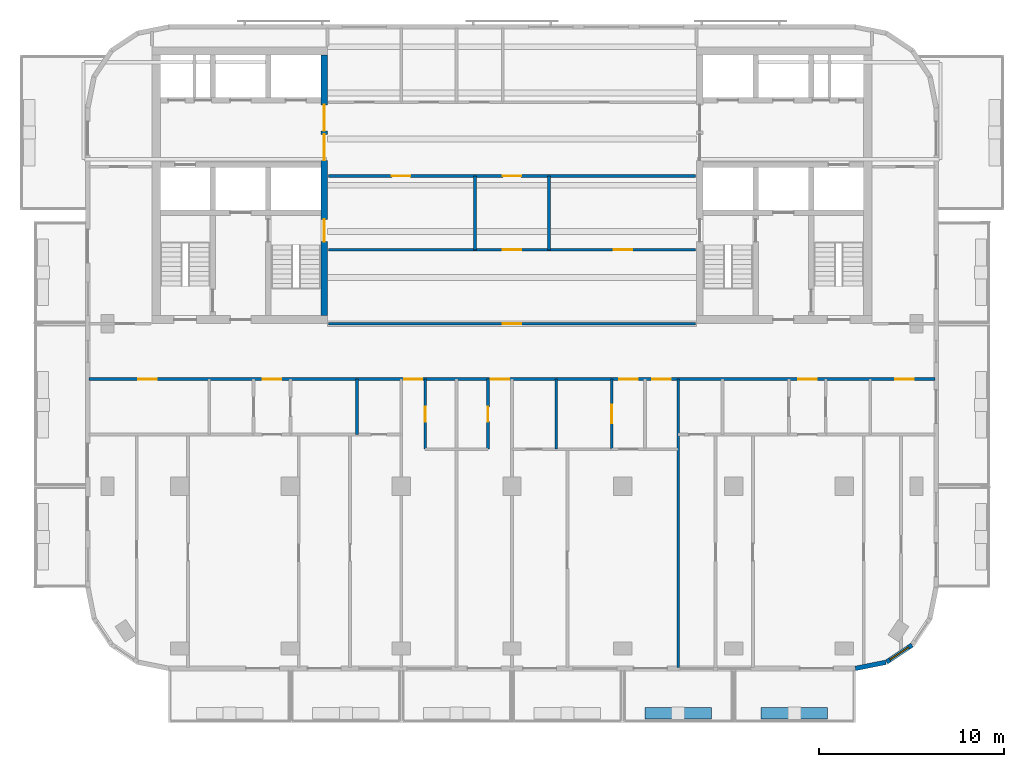
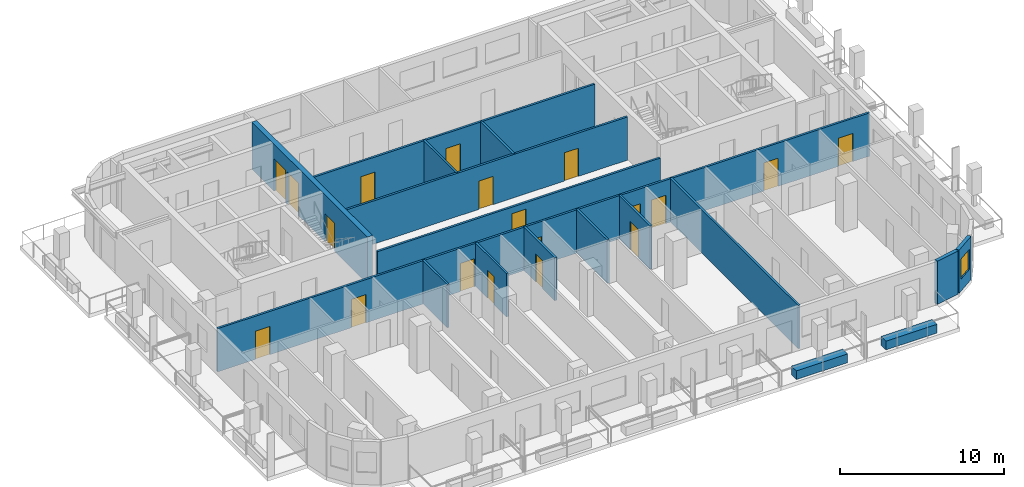
# One storey, part 4 of 11: 19 doors, 17 walls, 1 window, 20 openings.
"""IFC4 building model written with IfcOpenShell, lengths in metres."""

import ifcopenshell
import ifcopenshell.guid

model = None  # the IFC model being written
_history = None  # IfcOwnerHistory: only IFC2X3 demands one
_inside = {}  # id of a spatial element -> (the spatial element, [elements in it])
_under = {}  # id of a project, library or spatial element -> (it, [spatial elements below it])
_declared = {}  # id of a project -> (the project, [libraries it declares])
_typed = {}  # id of a type object -> (the type object, [elements of that type])
_made_of = {}  # id of a material, layer set ... -> (it, [elements and type objects made of it])


def new_model(schema):
    """Start an empty IFC model of exactly this schema.

    Asked for "IFC4X3", IfcOpenShell would pick the latest addendum, in which some entities
    have other attributes; the version numbers below select the first issue.
    IFC2X3 requires an IfcOwnerHistory on every rooted entity: one is made here for all.
    """
    global model, _history
    if schema == "IFC4X3":
        model = ifcopenshell.file(schema_version=(4, 3, 0, 0))
    else:
        model = ifcopenshell.file(schema=schema)
    _inside.clear()
    _under.clear()
    _declared.clear()
    _typed.clear()
    _made_of.clear()
    _history = None
    if model.schema == "IFC2X3":
        org = make("IfcOrganization", Name="unknown")
        user = make(
            "IfcPersonAndOrganization",
            ThePerson=make("IfcPerson", FamilyName="unknown"),
            TheOrganization=org,
        )
        app = make(
            "IfcApplication",
            ApplicationDeveloper=org,
            Version="unknown",
            ApplicationFullName="unknown",
            ApplicationIdentifier="unknown",
        )
        _history = make(
            "IfcOwnerHistory",
            OwningUser=user,
            OwningApplication=app,
            ChangeAction="ADDED",
            CreationDate=0,
        )
    return model


def make(cls, **values):
    """One entity of the class cls with the attributes given. An attribute that is None is left unset."""
    return model.create_entity(
        cls, **{name: value for name, value in values.items() if value is not None}
    )


def rooted(cls, **values):
    """An entity with a GlobalId (a new one), such as an element, a storey or a relation."""
    return make(cls, GlobalId=ifcopenshell.guid.new(), OwnerHistory=_history, **values)


def si_unit(unit_type, name, prefix=None):
    """IfcSIUnit, for example si_unit("LENGTHUNIT", "METRE", prefix="MILLI")."""
    return make("IfcSIUnit", UnitType=unit_type, Prefix=prefix, Name=name)


def assignment(units):
    """IfcUnitAssignment: the units of a project."""
    return None if units is None else make("IfcUnitAssignment", Units=units)


def point(xyz):
    """IfcCartesianPoint."""
    return None if xyz is None else make("IfcCartesianPoint", Coordinates=xyz)


def direction(xyz):
    """IfcDirection."""
    return None if xyz is None else make("IfcDirection", DirectionRatios=xyz)


def frame(location, z_axis=None, x_axis=None):
    """IfcAxis2Placement3D, a coordinate frame: its origin and axes. An axis left out is left unset."""
    return make(
        "IfcAxis2Placement3D",
        Location=point(location),
        Axis=direction(z_axis),
        RefDirection=direction(x_axis),
    )


def frame_2d(location, x_axis=None):
    """IfcAxis2Placement2D, a coordinate frame in the plane: its origin and x axis."""
    return make(
        "IfcAxis2Placement2D", Location=point(location), RefDirection=direction(x_axis)
    )


def origin():
    """The frame at (0, 0, 0) with its axes left unset."""
    return frame((0.0, 0.0, 0.0))


def place(relative_to, where):
    """IfcLocalPlacement: puts the frame where relative to a parent placement (None: the world)."""
    return make(
        "IfcLocalPlacement", PlacementRelTo=relative_to, RelativePlacement=where
    )


def context(
    kind, dimensions, precision=None, world=None, true_north=None, identifier=None
):
    """IfcGeometricRepresentationContext, for example the 3D "Model" context."""
    return make(
        "IfcGeometricRepresentationContext",
        ContextIdentifier=identifier,
        ContextType=kind,
        CoordinateSpaceDimension=dimensions,
        Precision=precision,
        WorldCoordinateSystem=world,
        TrueNorth=true_north,
    )


def subcontext(parent, identifier, kind, view, scale=None):
    """IfcGeometricRepresentationSubContext, for example "Body" below "Model"."""
    return make(
        "IfcGeometricRepresentationSubContext",
        ContextIdentifier=identifier,
        ContextType=kind,
        ParentContext=parent,
        TargetScale=scale,
        TargetView=view,
    )


def project(units=None, contexts=None):
    """IfcProject with its units and contexts."""
    return rooted(
        "IfcProject",
        Name="project",
        RepresentationContexts=contexts,
        UnitsInContext=assignment(units),
    )


def spatial(cls, under=None, at=None, **own):
    """A site, building, storey or space (cls), placed at a placement, below another one or the project."""
    s = rooted(cls, ObjectPlacement=at, **own)
    if under is not None:
        _under.setdefault(under.id(), (under, []))[1].append(s)
    return s


def profile(cls, at=None, kind="AREA", **sizes):
    """A parametric profile (cls). Its sizes go by their IFC names, for example OverallWidth=200.0."""
    return make(cls, ProfileType=kind, Position=at, **sizes)


def rectangle(**sizes):
    """IfcRectangleProfileDef."""
    return profile("IfcRectangleProfileDef", **sizes)


def extrude(swept, where, along, depth):
    """IfcExtrudedAreaSolid: the profile swept, set in the frame where, extruded along a direction by depth."""
    return make(
        "IfcExtrudedAreaSolid",
        SweptArea=swept,
        Position=where,
        ExtrudedDirection=direction(along),
        Depth=depth,
    )


def shape(context_of_items, identifier, shape_type, items):
    """IfcShapeRepresentation: the items that make up one representation, for example the "Body"."""
    return make(
        "IfcShapeRepresentation",
        ContextOfItems=context_of_items,
        RepresentationIdentifier=identifier,
        RepresentationType=shape_type,
        Items=items,
    )


def material(Name=None, Category=None):
    """IfcMaterial."""
    return make("IfcMaterial", Name=Name, Category=Category)


def layer(
    of_material, thickness, ventilated=None, Name=None, Category=None, Priority=None
):
    """IfcMaterialLayer: one layer of a wall or slab, of a material (None: an air gap)."""
    return make(
        "IfcMaterialLayer",
        Material=of_material,
        LayerThickness=thickness,
        IsVentilated=ventilated,
        Name=Name,
        Category=Category,
        Priority=Priority,
    )


def layer_set(layers, Name=None):
    """IfcMaterialLayerSet."""
    return make("IfcMaterialLayerSet", MaterialLayers=layers, LayerSetName=Name)


def made_of(thing, what):
    """Note that an element or type object is made of a material, layer set ...; save() writes the relation."""
    if what is not None:
        _made_of.setdefault(what.id(), (what, []))[1].append(thing)
    return thing


def type_object(cls, material=None, **own):
    """A type object (cls), such as IfcWallType, which elements share."""
    return made_of(rooted(cls, **own), material)


def element(
    cls,
    number,
    at=None,
    inside=None,
    cuts=None,
    type_object=None,
    material=None,
    context=None,
    identifier="Body",
    shape_type=None,
    held_by="IfcProductDefinitionShape",
    body=None,
    shapes=None,
    **own,
):
    """One element of the class cls, such as IfcWall. Its Tag is "e" and its number.

    at: its placement. inside: the storey or other place that contains it. cuts: it is an
    opening in that element (IfcRelVoidsElement). A single representation is given by context,
    identifier, shape_type and body (its items); several are given by shapes. held_by: the class
    of the entity that holds the representations. save() writes the other relations.
    """
    e = rooted(cls, Tag="e%d" % number, ObjectPlacement=at, **own)
    if body is not None:
        shapes = [shape(context, identifier, shape_type, body)]
    if shapes is not None:
        e.Representation = make(held_by, Representations=shapes)
    if inside is not None:
        _inside.setdefault(inside.id(), (inside, []))[1].append(e)
    if cuts is not None:
        rooted(
            "IfcRelVoidsElement", RelatingBuildingElement=cuts, RelatedOpeningElement=e
        )
    if type_object is not None:
        _typed.setdefault(type_object.id(), (type_object, []))[1].append(e)
    return made_of(e, material)


def fill(opening, filler):
    """IfcRelFillsElement: the door or window that sits in an opening."""
    return rooted(
        "IfcRelFillsElement",
        RelatingOpeningElement=opening,
        RelatedBuildingElement=filler,
    )


def aggregate(whole, parts):
    """IfcRelAggregates: a whole, such as a stair, and the parts it consists of."""
    return rooted("IfcRelAggregates", RelatingObject=whole, RelatedObjects=parts)


def save(model, path):
    """Write the relations noted so far, then the file.

    IfcRelAggregates (storeys below a building ...), IfcRelContainedInSpatialStructure (elements
    in a storey), IfcRelDefinesByType, IfcRelAssociatesMaterial and IfcRelDeclares: one each for
    every whole, place, type object, material and project.
    """
    for whole, parts in _under.values():
        aggregate(whole, parts)
    for where, things in _inside.values():
        rooted(
            "IfcRelContainedInSpatialStructure",
            RelatedElements=things,
            RelatingStructure=where,
        )
    for kind, things in _typed.values():
        rooted("IfcRelDefinesByType", RelatedObjects=things, RelatingType=kind)
    for what, things in _made_of.values():
        rooted("IfcRelAssociatesMaterial", RelatedObjects=things, RelatingMaterial=what)
    for by, libraries in _declared.values():
        rooted("IfcRelDeclares", RelatingContext=by, RelatedDefinitions=libraries)
    model.write(path)


model = new_model("IFC4")

# Units and contexts
model_context = context("Model", 3, precision=1e-05, world=origin(), true_north=direction((0.0, 1.0)))
body_context = subcontext(model_context, "Body", "Model", "MODEL_VIEW")
ifc_project = project(units=[si_unit("LENGTHUNIT", "METRE"), si_unit("AREAUNIT", "SQUARE_METRE"), si_unit("VOLUMEUNIT", "CUBIC_METRE"), si_unit("PLANEANGLEUNIT", "RADIAN"), si_unit("MASSUNIT", "GRAM", prefix="KILO")], contexts=[model_context])

# Site, building, storey
site_placement = place(None, origin())
site = spatial("IfcSite", under=ifc_project, at=site_placement, CompositionType="ELEMENT")
building_placement = place(site_placement, origin())
building = spatial("IfcBuilding", under=site, at=building_placement, Name="Torana Hotel and Residences", CompositionType="ELEMENT")
storey_placement = place(building_placement, frame((0.0, 0.0, 294.60009765625)))
storey = spatial("IfcBuildingStorey", under=building, at=storey_placement, Name="L78", CompositionType="ELEMENT", Elevation=294.60009765625)

# Wall, openings, doors
ifc_material_1 = material(Name="Concrete C60/75", Category="concrete")
ifc_layer_1 = layer(ifc_material_1, 0.35009765625)
ifc_layer_set_1 = layer_set([ifc_layer_1], Name="CORE WALL 350 C60/75")
wall_type_1 = type_object("IfcWallType", Name="CORE WALL 350 C60/75", PredefinedType="SHEAR", material=ifc_layer_set_1)
wall_1_placement = place(storey_placement, frame((-10.175048828125, -14.550048828125, 0.0), z_axis=(0.0, 0.0, 1.0), x_axis=(0.0, 1.0, 0.0)))
wall_1 = element("IfcWall", 1, at=wall_1_placement, inside=storey, type_object=wall_type_1, Name="Core wall W arch", PredefinedType="SHEAR", context=body_context, shape_type="SweptSolid", body=[
    extrude(rectangle(XDim=14.10009765625, YDim=0.35009765625, at=frame_2d((7.050048828125, 0.0))), origin(), (0.0, 0.0, 1.0), 3.5),
])
opening_1_placement = place(wall_1_placement, frame((8.39990234375, 0.0, 0.0)))
opening_1 = element("IfcOpeningElement", 2, at=opening_1_placement, cuts=wall_1, Name="Opening L78-01", PredefinedType="OPENING", context=body_context, shape_type="SweptSolid", body=[
    extrude(rectangle(XDim=1.39990234375, YDim=2.39990234375, at=frame_2d((0.699951171875, 1.199951171875))), frame((0.0, 0.18505859375, 0.0), z_axis=(0.0, -1.0, 0.0), x_axis=(1.0, 0.0, 0.0)), (0.0, 0.0, 1.0), 0.3701171875),
])
opening_2_placement = place(wall_1_placement, frame((10.0, 0.0, 0.0)))
opening_2 = element("IfcOpeningElement", 3, at=opening_2_placement, cuts=wall_1, Name="Opening L78-02", PredefinedType="OPENING", context=body_context, shape_type="SweptSolid", body=[
    extrude(rectangle(XDim=1.39990234375, YDim=2.39990234375, at=frame_2d((0.699951171875, 1.199951171875))), frame((0.0, 0.18505859375, 0.0), z_axis=(0.0, -1.0, 0.0), x_axis=(1.0, 0.0, 0.0)), (0.0, 0.0, 1.0), 0.3701171875),
])
opening_3_placement = place(wall_1_placement, frame((4.0, 0.0, 0.0)))
opening_3 = element("IfcOpeningElement", 4, at=opening_3_placement, cuts=wall_1, Name="Opening L78-03", PredefinedType="OPENING", context=body_context, shape_type="SweptSolid", body=[
    extrude(rectangle(XDim=1.199951171875, YDim=2.10009765625, at=frame_2d((0.60009765625, 1.050048828125))), frame((0.0, 0.18505859375, 0.0), z_axis=(0.0, -1.0, 0.0), x_axis=(1.0, 0.0, 0.0)), (0.0, 0.0, 1.0), 0.3701171875),
])
ifc_material_2 = material(Name="Steel S235", Category="steel")
door_type_1 = type_object("IfcDoorType", Name="LOBBY FIRE DOOR D4 1400x2400", OperationType="DOUBLE_DOOR_SINGLE_SWING", PredefinedType="DOOR", material=ifc_material_2)
door_1_placement = place(opening_1_placement, origin())
door_1 = element("IfcDoor", 5, at=door_1_placement, inside=storey, type_object=door_type_1, Name="Lobby-1 door L78", OperationType="DOUBLE_DOOR_SINGLE_SWING", OverallHeight=2.39990234375, OverallWidth=1.39990234375, PredefinedType="DOOR", context=body_context, shape_type="SweptSolid", body=[
    extrude(rectangle(XDim=1.39990234375, YDim=2.39990234375, at=frame_2d((0.699951171875, 1.199951171875))), frame((0.0, 0.02490234375, 0.0), z_axis=(0.0, -1.0, 0.0), x_axis=(1.0, 0.0, 0.0)), (0.0, 0.0, 1.0), 0.050048828125),
])
fill(opening_1, door_1)
door_2_placement = place(opening_2_placement, origin())
door_2 = element("IfcDoor", 6, at=door_2_placement, inside=storey, type_object=door_type_1, Name="Lobby-2 door L78", OperationType="DOUBLE_DOOR_SINGLE_SWING", OverallHeight=2.39990234375, OverallWidth=1.39990234375, PredefinedType="DOOR", context=body_context, shape_type="SweptSolid", body=[
    extrude(rectangle(XDim=1.39990234375, YDim=2.39990234375, at=frame_2d((0.699951171875, 1.199951171875))), frame((0.0, 0.02490234375, 0.0), z_axis=(0.0, -1.0, 0.0), x_axis=(1.0, 0.0, 0.0)), (0.0, 0.0, 1.0), 0.050048828125),
])
fill(opening_2, door_2)
ifc_material_3 = material(Name="Steel S235", Category="steel")
door_type_2 = type_object("IfcDoorType", Name="STAIR FIRE DOOR D3 1200x2100", OperationType="SINGLE_SWING_LEFT", PredefinedType="DOOR", material=ifc_material_3)
door_3_placement = place(opening_3_placement, origin())
door_3 = element("IfcDoor", 7, at=door_3_placement, inside=storey, type_object=door_type_2, Name="Stair-A door L78", OperationType="SINGLE_SWING_LEFT", OverallHeight=2.10009765625, OverallWidth=1.199951171875, PredefinedType="DOOR", context=body_context, shape_type="SweptSolid", body=[
    extrude(rectangle(XDim=1.199951171875, YDim=2.10009765625, at=frame_2d((0.60009765625, 1.050048828125))), frame((0.0, 0.02490234375, 0.0), z_axis=(0.0, -1.0, 0.0), x_axis=(1.0, 0.0, 0.0)), (0.0, 0.0, 1.0), 0.050048828125),
])
fill(opening_3, door_3)

# Wall
ifc_material_4 = material(Name="Black aluminium composite panel", Category="aluminium")
ifc_layer_2 = layer(ifc_material_4, 0.00390625, Name="Cladding", Category="cladding")
ifc_material_5 = material(Name="Ventilated air cavity")
ifc_layer_3 = layer(ifc_material_5, 0.0400390625, Name="Ventilated cavity", Category="cavity")
ifc_material_6 = material(Name="Mineral wool insulation")
ifc_layer_4 = layer(ifc_material_6, 0.090087890625, Name="Insulation", Category="insulation")
ifc_material_7 = material(Name="Steel S280GD", Category="steel")
ifc_layer_5 = layer(ifc_material_7, 0.092041015625, Name="Steel stud frame", Category="structure")
ifc_material_8 = material(Name="Fire rated plasterboard")
ifc_layer_6 = layer(ifc_material_8, 0.011962890625, Name="Inner board", Category="finish")
ifc_layer_7 = layer(ifc_material_8, 0.011962890625, Name="Second board", Category="finish")
ifc_layer_set_2 = layer_set([ifc_layer_2, ifc_layer_3, ifc_layer_4, ifc_layer_5, ifc_layer_6, ifc_layer_7], Name="EW1 EXTERNAL WALL BLACK METAL CLAD 250")
wall_type_2 = type_object("IfcWallType", Name="EW1 EXTERNAL WALL BLACK METAL CLAD 250", PredefinedType="SOLIDWALL", material=ifc_layer_set_2)
wall_2_placement = place(storey_placement, frame((18.599853515625, -33.672607421875, 0.0), z_axis=(0.0, 0.0, 1.0), x_axis=(0.980770110232, 0.195166572128, 0.0)))
element("IfcWall", 8, at=wall_2_placement, inside=storey, type_object=wall_type_2, Name="External wall L78 e0.15", PredefinedType="SOLIDWALL", context=body_context, shape_type="SweptSolid", body=[
    extrude(rectangle(XDim=1.68115234375, YDim=0.25, at=frame_2d((0.840576171875, 0.0))), origin(), (0.0, 0.0, 1.0), 3.219970703125),
])

# Wall, opening, window
wall_3_placement = place(storey_placement, frame((20.2939453125, -33.325927734375, 0.0), z_axis=(0.0, 0.0, 1.0), x_axis=(0.831482937015, 0.55555029066, 0.0)))
wall_3 = element("IfcWall", 9, at=wall_3_placement, inside=storey, type_object=wall_type_2, Name="External wall L78 e0.16", PredefinedType="SOLIDWALL", context=body_context, shape_type="SweptSolid", body=[
    extrude(rectangle(XDim=1.65625, YDim=0.25, at=frame_2d((0.828125, 0.0))), origin(), (0.0, 0.0, 1.0), 3.219970703125),
])
opening_4_placement = place(wall_3_placement, frame((0.228271484375, 0.0, 0.89990234375)))
opening_4 = element("IfcOpeningElement", 10, at=opening_4_placement, cuts=wall_3, Name="Opening W5", PredefinedType="OPENING", context=body_context, shape_type="SweptSolid", body=[
    extrude(rectangle(XDim=1.199951171875, YDim=1.5, at=frame_2d((0.60009765625, 0.75))), frame((0.0, 0.135009765625, 0.0), z_axis=(0.0, -1.0, 0.0), x_axis=(1.0, 0.0, 0.0)), (0.0, 0.0, 1.0), 0.27001953125),
])
ifc_material_9 = material(Name="Dark glass in black aluminium frame", Category="aluminium")
window_type = type_object("IfcWindowType", Name="W5 CORNER FACET WINDOW 1200x1500", PartitioningType="SINGLE_PANEL", PredefinedType="WINDOW", material=ifc_material_9)
window_placement = place(opening_4_placement, origin())
window = element("IfcWindow", 11, at=window_placement, inside=storey, type_object=window_type, Name="Window L78 e0.16", OverallHeight=1.5, OverallWidth=1.199951171875, PartitioningType="SINGLE_PANEL", PredefinedType="WINDOW", context=body_context, shape_type="SweptSolid", body=[
    extrude(rectangle(XDim=1.199951171875, YDim=1.5, at=frame_2d((0.60009765625, 0.75))), frame((0.0, 0.030029296875, 0.0), z_axis=(0.0, -1.0, 0.0), x_axis=(1.0, 0.0, 0.0)), (0.0, 0.0, 1.0), 0.06005859375),
])
fill(opening_4, window)

# Wall, opening, door
ifc_material_10 = material(Name="Gypsum plaster")
ifc_layer_8 = layer(ifc_material_10, 0.014892578125, Name="Plaster", Category="finish")
ifc_material_11 = material(Name="Concrete blockwork", Category="masonry")
ifc_layer_9 = layer(ifc_material_11, 0.1201171875, Name="Blockwork", Category="structure")
ifc_layer_10 = layer(ifc_material_10, 0.014892578125, Name="Plaster", Category="finish")
ifc_layer_set_3 = layer_set([ifc_layer_8, ifc_layer_9, ifc_layer_10], Name="FIRE PARTITION 150 BLOCKWORK")
wall_type_3 = type_object("IfcWallType", Name="FIRE PARTITION 150 BLOCKWORK", PredefinedType="PARTITIONING", material=ifc_layer_set_3)
wall_4_placement = place(storey_placement, frame((5.39990234375, -21.800048828125, 0.0), z_axis=(0.0, 0.0, 1.0), x_axis=(0.0, 1.0, 0.0)))
wall_4 = element("IfcWall", 12, at=wall_4_placement, inside=storey, type_object=wall_type_3, Name="Partition L78", PredefinedType="PARTITIONING", context=body_context, shape_type="SweptSolid", body=[
    extrude(rectangle(XDim=3.800048828125, YDim=0.14990234375, at=frame_2d((1.89990234375, 0.0))), origin(), (0.0, 0.0, 1.0), 3.219970703125),
])
opening_5_placement = place(wall_4_placement, frame((1.39990234375, 0.0, 0.0)))
opening_5 = element("IfcOpeningElement", 13, at=opening_5_placement, cuts=wall_4, Name="Opening L78-41", PredefinedType="OPENING", context=body_context, shape_type="SweptSolid", body=[
    extrude(rectangle(XDim=1.0, YDim=2.10009765625, at=frame_2d((0.5, 1.050048828125))), frame((0.0, 0.0849609375, 0.0), z_axis=(0.0, -1.0, 0.0), x_axis=(1.0, 0.0, 0.0)), (0.0, 0.0, 1.0), 0.169921875),
])
ifc_material_12 = material(Name="Steel S235", Category="steel")
door_type_3 = type_object("IfcDoorType", Name="ENTRY FIRE DOOR D6 1000x2100", OperationType="SINGLE_SWING_LEFT", PredefinedType="DOOR", material=ifc_material_12)
door_4_placement = place(opening_5_placement, origin())
door_4 = element("IfcDoor", 14, at=door_4_placement, inside=storey, type_object=door_type_3, Name="Door L78", OperationType="SINGLE_SWING_RIGHT", OverallHeight=2.10009765625, OverallWidth=1.0, PredefinedType="DOOR", context=body_context, shape_type="SweptSolid", body=[
    extrude(rectangle(XDim=1.0, YDim=2.10009765625, at=frame_2d((0.5, 1.050048828125))), frame((0.0, 0.02490234375, 0.0), z_axis=(0.0, -1.0, 0.0), x_axis=(1.0, 0.0, 0.0)), (0.0, 0.0, 1.0), 0.050048828125),
])
fill(opening_5, door_4)

# Walls
for number, where, z_axis, x_axis, name in (
    (15, (2.0, -11.0, 0.0), (0.0, 0.0, 1.0), (0.0, 1.0, 0.0), "Partition L78"),
    (16, (-2.0, -11.0, 0.0), (0.0, 0.0, 1.0), (0.0, 1.0, 0.0), "Partition L78"),
):
    element("IfcWall", number, at=place(storey_placement, frame(where, z_axis=z_axis, x_axis=x_axis)), inside=storey, type_object=wall_type_3, Name=name, PredefinedType="PARTITIONING", context=body_context, shape_type="SweptSolid", body=[
        extrude(rectangle(XDim=4.0, YDim=0.14990234375, at=frame_2d((2.0, 0.0))), origin(), (0.0, 0.0, 1.0), 3.219970703125),
    ])

# Wall, openings, doors
wall_5_placement = place(storey_placement, frame((-22.919921875, -18.0, 0.0), z_axis=(0.0, 0.0, 1.0), x_axis=(1.0, 0.0, 0.0)))
wall_5 = element("IfcWall", 17, at=wall_5_placement, inside=storey, type_object=wall_type_3, Name="Partition L78", PredefinedType="PARTITIONING", context=body_context, shape_type="SweptSolid", body=[
    extrude(rectangle(XDim=45.83984375, YDim=0.14990234375, at=frame_2d((22.919921875, 0.0))), origin(), (0.0, 0.0, 1.0), 3.219970703125),
])
opening_6_placement = place(wall_5_placement, frame((17.070068359375, 0.0, 0.0)))
opening_6 = element("IfcOpeningElement", 18, at=opening_6_placement, cuts=wall_5, Name="Opening L78-20", PredefinedType="OPENING", context=body_context, shape_type="SweptSolid", body=[
    extrude(rectangle(XDim=1.0, YDim=2.10009765625, at=frame_2d((0.5, 1.050048828125))), frame((0.0, 0.0849609375, 0.0), z_axis=(0.0, -1.0, 0.0), x_axis=(1.0, 0.0, 0.0)), (0.0, 0.0, 1.0), 0.169921875),
])
opening_7_placement = place(wall_5_placement, frame((21.77001953125, 0.0, 0.0)))
opening_7 = element("IfcOpeningElement", 19, at=opening_7_placement, cuts=wall_5, Name="Opening L78-21", PredefinedType="OPENING", context=body_context, shape_type="SweptSolid", body=[
    extrude(rectangle(XDim=1.0, YDim=2.10009765625, at=frame_2d((0.5, 1.050048828125))), frame((0.0, 0.0849609375, 0.0), z_axis=(0.0, -1.0, 0.0), x_axis=(1.0, 0.0, 0.0)), (0.0, 0.0, 1.0), 0.169921875),
])
opening_8_placement = place(wall_5_placement, frame((28.719970703125, 0.0, 0.0)))
opening_8 = element("IfcOpeningElement", 20, at=opening_8_placement, cuts=wall_5, Name="Opening L78-22", PredefinedType="OPENING", context=body_context, shape_type="SweptSolid", body=[
    extrude(rectangle(XDim=1.0, YDim=2.10009765625, at=frame_2d((0.5, 1.050048828125))), frame((0.0, 0.0849609375, 0.0), z_axis=(0.0, -1.0, 0.0), x_axis=(1.0, 0.0, 0.0)), (0.0, 0.0, 1.0), 0.169921875),
])
opening_9_placement = place(wall_5_placement, frame((30.52001953125, 0.0, 0.0)))
opening_9 = element("IfcOpeningElement", 21, at=opening_9_placement, cuts=wall_5, Name="Opening L78-23", PredefinedType="OPENING", context=body_context, shape_type="SweptSolid", body=[
    extrude(rectangle(XDim=1.0, YDim=2.10009765625, at=frame_2d((0.5, 1.050048828125))), frame((0.0, 0.0849609375, 0.0), z_axis=(0.0, -1.0, 0.0), x_axis=(1.0, 0.0, 0.0)), (0.0, 0.0, 1.0), 0.169921875),
])
opening_10_placement = place(wall_5_placement, frame((9.419921875, 0.0, 0.0)))
opening_10 = element("IfcOpeningElement", 22, at=opening_10_placement, cuts=wall_5, Name="Opening L78-24", PredefinedType="OPENING", context=body_context, shape_type="SweptSolid", body=[
    extrude(rectangle(XDim=1.0, YDim=2.10009765625, at=frame_2d((0.5, 1.050048828125))), frame((0.0, 0.0849609375, 0.0), z_axis=(0.0, -1.0, 0.0), x_axis=(1.0, 0.0, 0.0)), (0.0, 0.0, 1.0), 0.169921875),
])
opening_11_placement = place(wall_5_placement, frame((2.669921875, 0.0, 0.0)))
opening_11 = element("IfcOpeningElement", 23, at=opening_11_placement, cuts=wall_5, Name="Opening L78-25", PredefinedType="OPENING", context=body_context, shape_type="SweptSolid", body=[
    extrude(rectangle(XDim=1.0, YDim=2.10009765625, at=frame_2d((0.5, 1.050048828125))), frame((0.0, 0.0849609375, 0.0), z_axis=(0.0, -1.0, 0.0), x_axis=(1.0, 0.0, 0.0)), (0.0, 0.0, 1.0), 0.169921875),
])
opening_12_placement = place(wall_5_placement, frame((38.419921875, 0.0, 0.0)))
opening_12 = element("IfcOpeningElement", 24, at=opening_12_placement, cuts=wall_5, Name="Opening L78-26", PredefinedType="OPENING", context=body_context, shape_type="SweptSolid", body=[
    extrude(rectangle(XDim=1.0, YDim=2.10009765625, at=frame_2d((0.5, 1.050048828125))), frame((0.0, 0.0849609375, 0.0), z_axis=(0.0, -1.0, 0.0), x_axis=(1.0, 0.0, 0.0)), (0.0, 0.0, 1.0), 0.169921875),
])
opening_13_placement = place(wall_5_placement, frame((43.669921875, 0.0, 0.0)))
opening_13 = element("IfcOpeningElement", 25, at=opening_13_placement, cuts=wall_5, Name="Opening L78-27", PredefinedType="OPENING", context=body_context, shape_type="SweptSolid", body=[
    extrude(rectangle(XDim=1.0, YDim=2.10009765625, at=frame_2d((0.5, 1.050048828125))), frame((0.0, 0.0849609375, 0.0), z_axis=(0.0, -1.0, 0.0), x_axis=(1.0, 0.0, 0.0)), (0.0, 0.0, 1.0), 0.169921875),
])
door_5_placement = place(opening_6_placement, frame((0.5, 0.0, 0.0), z_axis=(0.0, 0.0, 1.0), x_axis=(-1.0, 0.0, 0.0)))
door_5 = element("IfcDoor", 26, at=door_5_placement, inside=storey, type_object=door_type_3, Name="Door L78", OperationType="SINGLE_SWING_LEFT", OverallHeight=2.10009765625, OverallWidth=1.0, PredefinedType="DOOR", context=body_context, shape_type="SweptSolid", body=[
    extrude(rectangle(XDim=1.0, YDim=2.10009765625, at=frame_2d((0.0, 1.050048828125))), frame((0.0, -0.02490234375, 0.0), z_axis=(0.0, 1.0, 0.0), x_axis=(-1.0, 0.0, 0.0)), (0.0, 0.0, 1.0), 0.050048828125),
])
fill(opening_6, door_5)
door_6_placement = place(opening_7_placement, frame((0.5, 0.0, 0.0), z_axis=(0.0, 0.0, 1.0), x_axis=(-1.0, 0.0, 0.0)))
door_6 = element("IfcDoor", 27, at=door_6_placement, inside=storey, type_object=door_type_3, Name="Door L78", OperationType="SINGLE_SWING_LEFT", OverallHeight=2.10009765625, OverallWidth=1.0, PredefinedType="DOOR", context=body_context, shape_type="SweptSolid", body=[
    extrude(rectangle(XDim=1.0, YDim=2.10009765625, at=frame_2d((0.0, 1.050048828125))), frame((0.0, -0.02490234375, 0.0), z_axis=(0.0, 1.0, 0.0), x_axis=(-1.0, 0.0, 0.0)), (0.0, 0.0, 1.0), 0.050048828125),
])
fill(opening_7, door_6)
door_7_placement = place(opening_8_placement, origin())
door_7 = element("IfcDoor", 28, at=door_7_placement, inside=storey, type_object=door_type_3, Name="Door L78", OperationType="SINGLE_SWING_RIGHT", OverallHeight=2.10009765625, OverallWidth=1.0, PredefinedType="DOOR", context=body_context, shape_type="SweptSolid", body=[
    extrude(rectangle(XDim=1.0, YDim=2.10009765625, at=frame_2d((0.5, 1.050048828125))), frame((0.0, 0.02490234375, 0.0), z_axis=(0.0, -1.0, 0.0), x_axis=(1.0, 0.0, 0.0)), (0.0, 0.0, 1.0), 0.050048828125),
])
fill(opening_8, door_7)
door_8_placement = place(opening_9_placement, frame((0.5, 0.0, 0.0), z_axis=(0.0, 0.0, 1.0), x_axis=(-1.0, 0.0, 0.0)))
door_8 = element("IfcDoor", 29, at=door_8_placement, inside=storey, type_object=door_type_3, Name="Door L78", OperationType="SINGLE_SWING_LEFT", OverallHeight=2.10009765625, OverallWidth=1.0, PredefinedType="DOOR", context=body_context, shape_type="SweptSolid", body=[
    extrude(rectangle(XDim=1.0, YDim=2.10009765625, at=frame_2d((0.0, 1.050048828125))), frame((0.0, -0.02490234375, 0.0), z_axis=(0.0, 1.0, 0.0), x_axis=(-1.0, 0.0, 0.0)), (0.0, 0.0, 1.0), 0.050048828125),
])
fill(opening_9, door_8)
door_9_placement = place(opening_10_placement, origin())
door_9 = element("IfcDoor", 30, at=door_9_placement, inside=storey, type_object=door_type_3, Name="Door L78", OperationType="SINGLE_SWING_RIGHT", OverallHeight=2.10009765625, OverallWidth=1.0, PredefinedType="DOOR", context=body_context, shape_type="SweptSolid", body=[
    extrude(rectangle(XDim=1.0, YDim=2.10009765625, at=frame_2d((0.5, 1.050048828125))), frame((0.0, 0.02490234375, 0.0), z_axis=(0.0, -1.0, 0.0), x_axis=(1.0, 0.0, 0.0)), (0.0, 0.0, 1.0), 0.050048828125),
])
fill(opening_10, door_9)
door_10_placement = place(opening_11_placement, frame((0.5, 0.0, 0.0), z_axis=(0.0, 0.0, 1.0), x_axis=(-1.0, 0.0, 0.0)))
door_10 = element("IfcDoor", 31, at=door_10_placement, inside=storey, type_object=door_type_3, Name="Door L78", OperationType="SINGLE_SWING_LEFT", OverallHeight=2.10009765625, OverallWidth=1.0, PredefinedType="DOOR", context=body_context, shape_type="SweptSolid", body=[
    extrude(rectangle(XDim=1.0, YDim=2.10009765625, at=frame_2d((0.0, 1.050048828125))), frame((0.0, -0.02490234375, 0.0), z_axis=(0.0, 1.0, 0.0), x_axis=(-1.0, 0.0, 0.0)), (0.0, 0.0, 1.0), 0.050048828125),
])
fill(opening_11, door_10)
door_11_placement = place(opening_12_placement, origin())
door_11 = element("IfcDoor", 32, at=door_11_placement, inside=storey, type_object=door_type_3, Name="Door L78", OperationType="SINGLE_SWING_RIGHT", OverallHeight=2.10009765625, OverallWidth=1.0, PredefinedType="DOOR", context=body_context, shape_type="SweptSolid", body=[
    extrude(rectangle(XDim=1.0, YDim=2.10009765625, at=frame_2d((0.5, 1.050048828125))), frame((0.0, 0.02490234375, 0.0), z_axis=(0.0, -1.0, 0.0), x_axis=(1.0, 0.0, 0.0)), (0.0, 0.0, 1.0), 0.050048828125),
])
fill(opening_12, door_11)
door_12_placement = place(opening_13_placement, frame((0.5, 0.0, 0.0), z_axis=(0.0, 0.0, 1.0), x_axis=(-1.0, 0.0, 0.0)))
door_12 = element("IfcDoor", 33, at=door_12_placement, inside=storey, type_object=door_type_3, Name="Door L78", OperationType="SINGLE_SWING_RIGHT", OverallHeight=2.10009765625, OverallWidth=1.0, PredefinedType="DOOR", context=body_context, shape_type="SweptSolid", body=[
    extrude(rectangle(XDim=1.0, YDim=2.10009765625, at=frame_2d((0.0, 1.050048828125))), frame((0.0, -0.02490234375, 0.0), z_axis=(0.0, 1.0, 0.0), x_axis=(-1.0, 0.0, 0.0)), (0.0, 0.0, 1.0), 0.050048828125),
])
fill(opening_13, door_12)

# Wall, opening, door
wall_6_placement = place(storey_placement, frame((-9.949951171875, -15.0, 0.0), z_axis=(0.0, 0.0, 1.0), x_axis=(1.0, 0.0, 0.0)))
wall_6 = element("IfcWall", 34, at=wall_6_placement, inside=storey, type_object=wall_type_3, Name="Partition L78", PredefinedType="PARTITIONING", context=body_context, shape_type="SweptSolid", body=[
    extrude(rectangle(XDim=19.89990234375, YDim=0.14990234375, at=frame_2d((9.949951171875, 0.0))), origin(), (0.0, 0.0, 1.0), 2.583984375),
])
opening_14_placement = place(wall_6_placement, frame((9.449951171875, 0.0, 0.0)))
opening_14 = element("IfcOpeningElement", 35, at=opening_14_placement, cuts=wall_6, Name="Opening L78-19", PredefinedType="OPENING", context=body_context, shape_type="SweptSolid", body=[
    extrude(rectangle(XDim=1.0, YDim=2.10009765625, at=frame_2d((0.5, 1.050048828125))), frame((0.0, 0.0849609375, 0.0), z_axis=(0.0, -1.0, 0.0), x_axis=(1.0, 0.0, 0.0)), (0.0, 0.0, 1.0), 0.169921875),
])
door_13_placement = place(opening_14_placement, origin())
door_13 = element("IfcDoor", 36, at=door_13_placement, inside=storey, type_object=door_type_3, Name="Door L78", OperationType="SINGLE_SWING_RIGHT", OverallHeight=2.10009765625, OverallWidth=1.0, PredefinedType="DOOR", context=body_context, shape_type="SweptSolid", body=[
    extrude(rectangle(XDim=1.0, YDim=2.10009765625, at=frame_2d((0.5, 1.050048828125))), frame((0.0, 0.02490234375, 0.0), z_axis=(0.0, -1.0, 0.0), x_axis=(1.0, 0.0, 0.0)), (0.0, 0.0, 1.0), 0.050048828125),
])
fill(opening_14, door_13)

# Wall, openings, doors
wall_7_placement = place(storey_placement, frame((-9.949951171875, -11.0, 0.0), z_axis=(0.0, 0.0, 1.0), x_axis=(1.0, 0.0, 0.0)))
wall_7 = element("IfcWall", 37, at=wall_7_placement, inside=storey, type_object=wall_type_3, Name="Partition L78", PredefinedType="PARTITIONING", context=body_context, shape_type="SweptSolid", body=[
    extrude(rectangle(XDim=19.89990234375, YDim=0.14990234375, at=frame_2d((9.949951171875, 0.0))), origin(), (0.0, 0.0, 1.0), 3.219970703125),
])
opening_15_placement = place(wall_7_placement, frame((9.449951171875, 0.0, 0.0)))
opening_15 = element("IfcOpeningElement", 38, at=opening_15_placement, cuts=wall_7, Name="Opening L78-30", PredefinedType="OPENING", context=body_context, shape_type="SweptSolid", body=[
    extrude(rectangle(XDim=1.0, YDim=2.10009765625, at=frame_2d((0.5, 1.050048828125))), frame((0.0, 0.0849609375, 0.0), z_axis=(0.0, -1.0, 0.0), x_axis=(1.0, 0.0, 0.0)), (0.0, 0.0, 1.0), 0.169921875),
])
opening_16_placement = place(wall_7_placement, frame((15.449951171875, 0.0, 0.0)))
opening_16 = element("IfcOpeningElement", 39, at=opening_16_placement, cuts=wall_7, Name="Opening L78-31", PredefinedType="OPENING", context=body_context, shape_type="SweptSolid", body=[
    extrude(rectangle(XDim=1.0, YDim=2.10009765625, at=frame_2d((0.5, 1.050048828125))), frame((0.0, 0.0849609375, 0.0), z_axis=(0.0, -1.0, 0.0), x_axis=(1.0, 0.0, 0.0)), (0.0, 0.0, 1.0), 0.169921875),
])
door_14_placement = place(opening_15_placement, origin())
door_14 = element("IfcDoor", 40, at=door_14_placement, inside=storey, type_object=door_type_3, Name="Door L78", OperationType="SINGLE_SWING_RIGHT", OverallHeight=2.10009765625, OverallWidth=1.0, PredefinedType="DOOR", context=body_context, shape_type="SweptSolid", body=[
    extrude(rectangle(XDim=1.0, YDim=2.10009765625, at=frame_2d((0.5, 1.050048828125))), frame((0.0, 0.02490234375, 0.0), z_axis=(0.0, -1.0, 0.0), x_axis=(1.0, 0.0, 0.0)), (0.0, 0.0, 1.0), 0.050048828125),
])
fill(opening_15, door_14)
door_15_placement = place(opening_16_placement, origin())
door_15 = element("IfcDoor", 41, at=door_15_placement, inside=storey, type_object=door_type_3, Name="Door L78", OperationType="SINGLE_SWING_RIGHT", OverallHeight=2.10009765625, OverallWidth=1.0, PredefinedType="DOOR", context=body_context, shape_type="SweptSolid", body=[
    extrude(rectangle(XDim=1.0, YDim=2.10009765625, at=frame_2d((0.5, 1.050048828125))), frame((0.0, 0.02490234375, 0.0), z_axis=(0.0, -1.0, 0.0), x_axis=(1.0, 0.0, 0.0)), (0.0, 0.0, 1.0), 0.050048828125),
])
fill(opening_16, door_15)

wall_8_placement = place(storey_placement, frame((-9.949951171875, -7.0, 0.0), z_axis=(0.0, 0.0, 1.0), x_axis=(1.0, 0.0, 0.0)))
wall_8 = element("IfcWall", 42, at=wall_8_placement, inside=storey, type_object=wall_type_3, Name="Partition L78", PredefinedType="PARTITIONING", context=body_context, shape_type="SweptSolid", body=[
    extrude(rectangle(XDim=19.89990234375, YDim=0.14990234375, at=frame_2d((9.949951171875, 0.0))), origin(), (0.0, 0.0, 1.0), 3.219970703125),
])
opening_17_placement = place(wall_8_placement, frame((9.449951171875, 0.0, 0.0)))
opening_17 = element("IfcOpeningElement", 43, at=opening_17_placement, cuts=wall_8, Name="Opening L78-32", PredefinedType="OPENING", context=body_context, shape_type="SweptSolid", body=[
    extrude(rectangle(XDim=1.0, YDim=2.10009765625, at=frame_2d((0.5, 1.050048828125))), frame((0.0, 0.0849609375, 0.0), z_axis=(0.0, -1.0, 0.0), x_axis=(1.0, 0.0, 0.0)), (0.0, 0.0, 1.0), 0.169921875),
])
opening_18_placement = place(wall_8_placement, frame((3.449951171875, 0.0, 0.0)))
opening_18 = element("IfcOpeningElement", 44, at=opening_18_placement, cuts=wall_8, Name="Opening L78-33", PredefinedType="OPENING", context=body_context, shape_type="SweptSolid", body=[
    extrude(rectangle(XDim=1.0, YDim=2.10009765625, at=frame_2d((0.5, 1.050048828125))), frame((0.0, 0.0849609375, 0.0), z_axis=(0.0, -1.0, 0.0), x_axis=(1.0, 0.0, 0.0)), (0.0, 0.0, 1.0), 0.169921875),
])
door_16_placement = place(opening_17_placement, origin())
door_16 = element("IfcDoor", 45, at=door_16_placement, inside=storey, type_object=door_type_3, Name="Door L78", OperationType="SINGLE_SWING_RIGHT", OverallHeight=2.10009765625, OverallWidth=1.0, PredefinedType="DOOR", context=body_context, shape_type="SweptSolid", body=[
    extrude(rectangle(XDim=1.0, YDim=2.10009765625, at=frame_2d((0.5, 1.050048828125))), frame((0.0, 0.02490234375, 0.0), z_axis=(0.0, -1.0, 0.0), x_axis=(1.0, 0.0, 0.0)), (0.0, 0.0, 1.0), 0.050048828125),
])
fill(opening_17, door_16)
door_17_placement = place(opening_18_placement, frame((0.5, 0.0, 0.0), z_axis=(0.0, 0.0, 1.0), x_axis=(-1.0, 0.0, 0.0)))
door_17 = element("IfcDoor", 46, at=door_17_placement, inside=storey, type_object=door_type_3, Name="Door L78", OperationType="SINGLE_SWING_LEFT", OverallHeight=2.10009765625, OverallWidth=1.0, PredefinedType="DOOR", context=body_context, shape_type="SweptSolid", body=[
    extrude(rectangle(XDim=1.0, YDim=2.10009765625, at=frame_2d((0.0, 1.050048828125))), frame((0.0, -0.02490234375, 0.0), z_axis=(0.0, 1.0, 0.0), x_axis=(-1.0, 0.0, 0.0)), (0.0, 0.0, 1.0), 0.050048828125),
])
fill(opening_18, door_17)

# Walls
ifc_material_13 = material(Name="Gypsum plasterboard")
ifc_layer_11 = layer(ifc_material_13, 0.012451171875, Name="Plasterboard", Category="finish")
ifc_layer_12 = layer(ifc_material_13, 0.012451171875, Name="Plasterboard", Category="finish")
ifc_layer_13 = layer(ifc_material_7, 0.10009765625, Name="Steel studs with mineral wool", Category="insulation")
ifc_layer_14 = layer(ifc_material_13, 0.012451171875, Name="Plasterboard", Category="finish")
ifc_layer_15 = layer(ifc_material_13, 0.012451171875, Name="Plasterboard", Category="finish")
ifc_layer_set_4 = layer_set([ifc_layer_11, ifc_layer_12, ifc_layer_13, ifc_layer_14, ifc_layer_15], Name="PARTITION 150 PLASTERBOARD")
wall_type_4 = type_object("IfcWallType", Name="PARTITION 150 PLASTERBOARD", PredefinedType="PARTITIONING", material=ifc_layer_set_4)
wall_9_placement = place(storey_placement, frame((9.0, -33.6201171875, 0.0), z_axis=(0.0, 0.0, 1.0), x_axis=(0.0, 1.0, 0.0)))
element("IfcWall", 47, at=wall_9_placement, inside=storey, type_object=wall_type_4, Name="Partition L78", PredefinedType="PARTITIONING", context=body_context, shape_type="SweptSolid", body=[
    extrude(rectangle(XDim=15.6201171875, YDim=0.14990234375, at=frame_2d((7.81005859375, 0.0))), origin(), (0.0, 0.0, 1.0), 3.219970703125),
])
wall_10_placement = place(storey_placement, frame((2.39990234375, -21.800048828125, 0.0), z_axis=(0.0, 0.0, 1.0), x_axis=(0.0, 1.0, 0.0)))
element("IfcWall", 48, at=wall_10_placement, inside=storey, type_object=wall_type_4, Name="Partition L78", PredefinedType="PARTITIONING", context=body_context, shape_type="SweptSolid", body=[
    extrude(rectangle(XDim=3.800048828125, YDim=0.14990234375, at=frame_2d((1.89990234375, 0.0))), origin(), (0.0, 0.0, 1.0), 3.219970703125),
])

# Wall, opening, door
wall_11_placement = place(storey_placement, frame((-1.300048828125, -21.800048828125, 0.0), z_axis=(0.0, 0.0, 1.0), x_axis=(0.0, 1.0, 0.0)))
wall_11 = element("IfcWall", 49, at=wall_11_placement, inside=storey, type_object=wall_type_4, Name="Partition L78", PredefinedType="PARTITIONING", context=body_context, shape_type="SweptSolid", body=[
    extrude(rectangle(XDim=3.800048828125, YDim=0.14990234375, at=frame_2d((1.89990234375, 0.0))), origin(), (0.0, 0.0, 1.0), 3.219970703125),
])
opening_19_placement = place(wall_11_placement, frame((1.5, 0.0, 0.0)))
opening_19 = element("IfcOpeningElement", 50, at=opening_19_placement, cuts=wall_11, Name="Opening L78-39", PredefinedType="OPENING", context=body_context, shape_type="SweptSolid", body=[
    extrude(rectangle(XDim=0.800048828125, YDim=2.10009765625, at=frame_2d((0.39990234375, 1.050048828125))), frame((0.0, 0.0849609375, 0.0), z_axis=(0.0, -1.0, 0.0), x_axis=(1.0, 0.0, 0.0)), (0.0, 0.0, 1.0), 0.169921875),
])
ifc_material_14 = material(Name="Timber door, painted", Category="wood")
door_type_4 = type_object("IfcDoorType", Name="BATH DOOR D13 800x2100", OperationType="SINGLE_SWING_LEFT", PredefinedType="DOOR", material=ifc_material_14)
door_18_placement = place(opening_19_placement, origin())
door_18 = element("IfcDoor", 51, at=door_18_placement, inside=storey, type_object=door_type_4, Name="Door L78", OperationType="SINGLE_SWING_RIGHT", OverallHeight=2.10009765625, OverallWidth=0.800048828125, PredefinedType="DOOR", context=body_context, shape_type="SweptSolid", body=[
    extrude(rectangle(XDim=0.800048828125, YDim=2.10009765625, at=frame_2d((0.39990234375, 1.050048828125))), frame((0.0, 0.02490234375, 0.0), z_axis=(0.0, -1.0, 0.0), x_axis=(1.0, 0.0, 0.0)), (0.0, 0.0, 1.0), 0.050048828125),
])
fill(opening_19, door_18)

wall_12_placement = place(storey_placement, frame((-4.699951171875, -21.800048828125, 0.0), z_axis=(0.0, 0.0, 1.0), x_axis=(0.0, 1.0, 0.0)))
wall_12 = element("IfcWall", 52, at=wall_12_placement, inside=storey, type_object=wall_type_4, Name="Partition L78", PredefinedType="PARTITIONING", context=body_context, shape_type="SweptSolid", body=[
    extrude(rectangle(XDim=3.800048828125, YDim=0.14990234375, at=frame_2d((1.89990234375, 0.0))), origin(), (0.0, 0.0, 1.0), 3.219970703125),
])
opening_20_placement = place(wall_12_placement, frame((1.5, 0.0, 0.0)))
opening_20 = element("IfcOpeningElement", 53, at=opening_20_placement, cuts=wall_12, Name="Opening L78-38", PredefinedType="OPENING", context=body_context, shape_type="SweptSolid", body=[
    extrude(rectangle(XDim=0.800048828125, YDim=2.10009765625, at=frame_2d((0.39990234375, 1.050048828125))), frame((0.0, 0.0849609375, 0.0), z_axis=(0.0, -1.0, 0.0), x_axis=(1.0, 0.0, 0.0)), (0.0, 0.0, 1.0), 0.169921875),
])
door_19_placement = place(opening_20_placement, origin())
door_19 = element("IfcDoor", 54, at=door_19_placement, inside=storey, type_object=door_type_4, Name="Door L78", OperationType="SINGLE_SWING_RIGHT", OverallHeight=2.10009765625, OverallWidth=0.800048828125, PredefinedType="DOOR", context=body_context, shape_type="SweptSolid", body=[
    extrude(rectangle(XDim=0.800048828125, YDim=2.10009765625, at=frame_2d((0.39990234375, 1.050048828125))), frame((0.0, 0.02490234375, 0.0), z_axis=(0.0, -1.0, 0.0), x_axis=(1.0, 0.0, 0.0)), (0.0, 0.0, 1.0), 0.050048828125),
])
fill(opening_20, door_19)

# Walls
wall_13_placement = place(storey_placement, frame((-8.39990234375, -21.0, 0.0), z_axis=(0.0, 0.0, 1.0), x_axis=(0.0, 1.0, 0.0)))
element("IfcWall", 55, at=wall_13_placement, inside=storey, type_object=wall_type_4, Name="Partition L78", PredefinedType="PARTITIONING", context=body_context, shape_type="SweptSolid", body=[
    extrude(rectangle(XDim=3.0, YDim=0.14990234375, at=frame_2d((1.5, 0.0))), origin(), (0.0, 0.0, 1.0), 3.219970703125),
])
ifc_material_15 = material(Name="Concrete C40/50 precast", Category="concrete")
ifc_layer_16 = layer(ifc_material_15, 0.10009765625, Name="Planter shell", Category="structure")
ifc_material_16 = material(Name="Root resistant membrane")
ifc_layer_17 = layer(ifc_material_16, 0.00390625, Name="Waterproofing membrane", Category="membrane")
ifc_material_17 = material(Name="Drainage board with filter fleece")
ifc_layer_18 = layer(ifc_material_17, 0.02001953125, Name="Drainage board", Category="drainage")
ifc_material_18 = material(Name="Growing medium")
ifc_layer_19 = layer(ifc_material_18, 0.47607421875, Name="Planting substrate", Category="soil")
ifc_layer_set_5 = layer_set([ifc_layer_16, ifc_layer_17, ifc_layer_18, ifc_layer_19], Name="PL1 BALCONY PLANTER 600")
wall_type_5 = type_object("IfcWallType", Name="PL1 BALCONY PLANTER 600", PredefinedType="USERDEFINED", material=ifc_layer_set_5)
for number, where, z_axis, x_axis, name in (
    (56, (10.800048828125, -36.10009765625, 0.0), (0.0, 0.0, 1.0), (-1.0, 0.0, 0.0), "Planter 05"),
    (57, (17.10009765625, -36.10009765625, 0.0), (0.0, 0.0, 1.0), (-1.0, 0.0, 0.0), "Planter 06"),
):
    element("IfcWall", number, at=place(storey_placement, frame(where, z_axis=z_axis, x_axis=x_axis)), inside=storey, type_object=wall_type_5, Name=name, ObjectType="PLANTER", PredefinedType="USERDEFINED", context=body_context, shape_type="SweptSolid", body=[
        extrude(rectangle(XDim=3.60009765625, YDim=0.60009765625, at=frame_2d((1.800048828125, 0.0))), origin(), (0.0, 0.0, 1.0), 0.64990234375),
    ])

save(model, "model.ifc")
